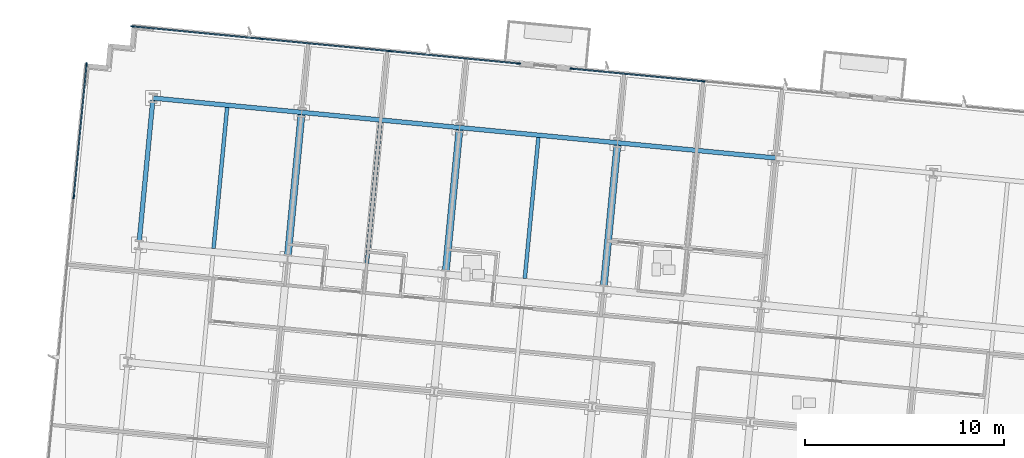
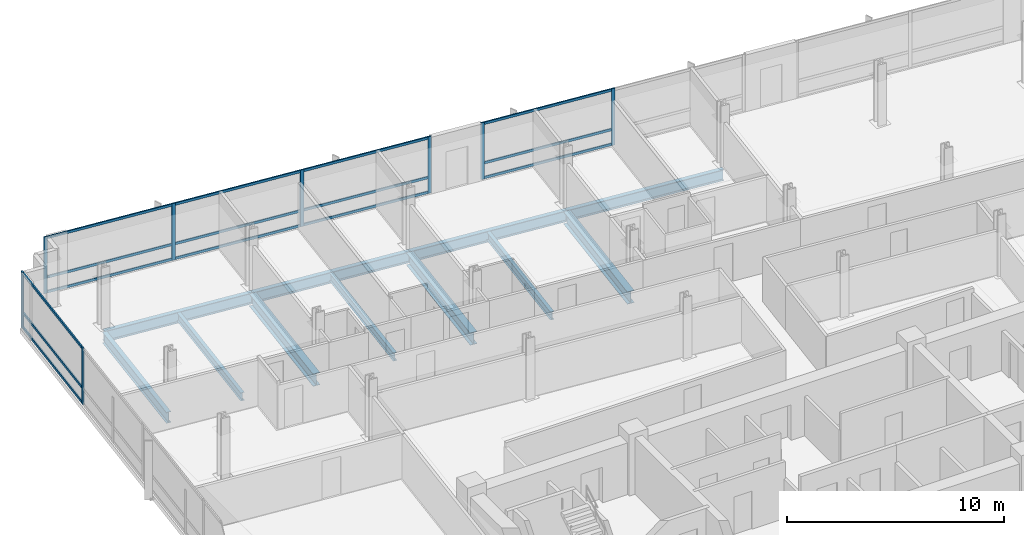
# One storey, part 7 of 17: 23 members, 11 beams, 3 elements without a shape of their own.
"""IFC4 building model written with IfcOpenShell, lengths in metres."""

from ifc_helpers import new_model, si_unit, direction, frame, origin, origin_2d, place, context, subcontext, project, spatial, rectangle, i_section, extrude, material, material_profile, profile_set, type_object, element, aggregate, save


model = new_model("IFC4")

# Units and contexts
model_context = context("Model", 3, precision=1e-05, world=origin(), true_north=direction((0.0, 1.0)))
body_context = subcontext(model_context, "Body", "Model", "MODEL_VIEW")
ifc_project = project(units=[si_unit("LENGTHUNIT", "METRE"), si_unit("AREAUNIT", "SQUARE_METRE"), si_unit("VOLUMEUNIT", "CUBIC_METRE"), si_unit("PLANEANGLEUNIT", "RADIAN"), si_unit("MASSUNIT", "GRAM", prefix="KILO")], contexts=[model_context])

# Site, building, storey
site_placement = place(None, origin())
site = spatial("IfcSite", under=ifc_project, at=site_placement, CompositionType="ELEMENT")
building_placement = place(site_placement, origin())
building = spatial("IfcBuilding", under=site, at=building_placement, Name="Solmavex Isthmus Hotel", CompositionType="ELEMENT")
storey_placement = place(building_placement, frame((0.0, 0.0, 156.60009765625)))
storey = spatial("IfcBuildingStorey", under=building, at=storey_placement, Name="L42", CompositionType="ELEMENT", Elevation=156.60009765625)

# Beams
ifc_material_1 = material(Name="Steel ASTM A992 Grade 50", Category="steel")
ifc_material_profile_1 = material_profile(ifc_material_1, i_section(OverallWidth=0.354736328125, OverallDepth=0.695556640625, WebThickness=0.015380859375, FlangeThickness=0.02490234375, FilletRadius=0.017822265625, at=origin_2d()), Name="W27X146")
ifc_profile_set_1 = profile_set([ifc_material_profile_1], Name="Steel ASTM A992 Grade 50")
beam_type_1 = type_object("IfcBeamType", Name="BM-BG-W27X146", PredefinedType="BEAM", material=ifc_profile_set_1)
beam_1_placement = place(storey_placement, frame((-15.254150390625, 13.07275390625, -0.60791015625), z_axis=(0.095839524498, 0.995396798038, 0.0), x_axis=(-0.995396798038, 0.095839524498, 0.0)))
element("IfcBeam", 1, at=beam_1_placement, inside=storey, type_object=beam_type_1, Name="Floor Beam L42-VG26", PredefinedType="BEAM", context=body_context, shape_type="SweptSolid", body=[
    extrude(i_section(OverallWidth=0.354736328125, OverallDepth=0.695556640625, WebThickness=0.015380859375, FlangeThickness=0.02490234375, FilletRadius=0.017822265625, at=origin_2d()), origin(), (0.0, 0.0, 1.0), 7.099609375),
])
beam_2_placement = place(storey_placement, frame((-7.3349609375, 12.310302734375, -0.60791015625), z_axis=(0.09587687835, 0.9953932008, 0.0), x_axis=(-0.9953932008, 0.09587687835, 0.0)))
element("IfcBeam", 2, at=beam_2_placement, inside=storey, type_object=beam_type_1, Name="Floor Beam L42-VG29", PredefinedType="BEAM", context=body_context, shape_type="SweptSolid", body=[
    extrude(i_section(OverallWidth=0.354736328125, OverallDepth=0.695556640625, WebThickness=0.015380859375, FlangeThickness=0.02490234375, FilletRadius=0.017822265625, at=origin_2d()), origin(), (0.0, 0.0, 1.0), 7.099365234375),
])
beam_3_placement = place(storey_placement, frame((0.58447265625, 11.547607421875, -0.60791015625), z_axis=(0.095839524498, 0.995396798038, 0.0), x_axis=(-0.995396798038, 0.095839524498, 0.0)))
element("IfcBeam", 3, at=beam_3_placement, inside=storey, type_object=beam_type_1, Name="Floor Beam L42-VG32", PredefinedType="BEAM", context=body_context, shape_type="SweptSolid", body=[
    extrude(i_section(OverallWidth=0.354736328125, OverallDepth=0.695556640625, WebThickness=0.015380859375, FlangeThickness=0.02490234375, FilletRadius=0.017822265625, at=origin_2d()), origin(), (0.0, 0.0, 1.0), 7.099609375),
])
ifc_material_profile_2 = material_profile(ifc_material_1, i_section(OverallWidth=0.1904296875, OverallDepth=0.456787109375, WebThickness=0.009033203125, FlangeThickness=0.014404296875, FilletRadius=0.0126953125, at=origin_2d()), Name="W18X50")
ifc_profile_set_2 = profile_set([ifc_material_profile_2], Name="Steel ASTM A992 Grade 50")
beam_type_2 = type_object("IfcBeamType", Name="BM-BJ-W18X50", PredefinedType="JOIST", material=ifc_profile_set_2)
for number, where, z_axis, x_axis, name in (
    (4, (-18.98095703125, 13.431640625, -0.488525390625), (0.095842805175, 0.99539648216, 0.0), (-0.99539648216, 0.095842805175, 0.0), "Secondary Floor Joist L42-J03"),
    (5, (-11.29443359375, 12.691650390625, -0.488525390625), (0.095842805175, 0.99539648216, 0.0), (-0.99539648216, 0.095842805175, 0.0), "Secondary Floor Joist L42-J06"),
    (6, (-3.375244140625, 11.928955078125, -0.488525390625), (0.09587687835, 0.9953932008, 0.0), (-0.9953932008, 0.09587687835, 0.0), "Secondary Floor Joist L42-J09"),
):
    element("IfcBeam", number, at=place(storey_placement, frame(where, z_axis=z_axis, x_axis=x_axis)), inside=storey, type_object=beam_type_2, Name=name, PredefinedType="JOIST", context=body_context, shape_type="SweptSolid", body=[
        extrude(i_section(OverallWidth=0.1904296875, OverallDepth=0.456787109375, WebThickness=0.009033203125, FlangeThickness=0.014404296875, FilletRadius=0.0126953125, at=origin_2d()), origin(), (0.0, 0.0, 1.0), 7.099365234375),
    ])
ifc_material_profile_3 = material_profile(ifc_material_1, i_section(OverallWidth=0.230224609375, OverallDepth=0.617431640625, WebThickness=0.01318359375, FlangeThickness=0.022216796875, FilletRadius=0.01513671875, at=origin_2d()), Name="W24X94")
ifc_profile_set_3 = profile_set([ifc_material_profile_3], Name="Steel ASTM A992 Grade 50")
beam_type_3 = type_object("IfcBeamType", Name="BM-SP-W24X94", PredefinedType="SPANDREL", material=ifc_profile_set_3)
beam_4_placement = place(storey_placement, frame((-22.016357421875, 20.971923828125, -0.56884765625), z_axis=(0.995395279593, -0.095855293875, 0.0), x_axis=(0.095855293875, 0.995395279593, 0.0)))
element("IfcBeam", 7, at=beam_4_placement, inside=storey, type_object=beam_type_3, Name="Floor Girder L42-UG15", PredefinedType="SPANDREL", context=body_context, shape_type="SweptSolid", body=[
    extrude(i_section(OverallWidth=0.230224609375, OverallDepth=0.617431640625, WebThickness=0.01318359375, FlangeThickness=0.022216796875, FilletRadius=0.01513671875, at=origin_2d()), origin(), (0.0, 0.0, 1.0), 7.488037109375),
])
for number, where, z_axis, x_axis, name in (
    (8, (-14.562744140625, 20.254150390625, -0.56884765625), (0.995397440011, -0.095832856685, 0.0), (0.095832856685, 0.995397440011, 0.0), "Floor Girder L42-UG16"),
    (9, (-6.643310546875, 19.49169921875, -0.56884765625), (0.995394512348, -0.095863260885, 0.0), (0.095863260885, 0.995394512348, 0.0), "Floor Girder L42-UG17"),
):
    element("IfcBeam", number, at=place(storey_placement, frame(where, z_axis=z_axis, x_axis=x_axis)), inside=storey, type_object=beam_type_3, Name=name, PredefinedType="SPANDREL", context=body_context, shape_type="SweptSolid", body=[
        extrude(i_section(OverallWidth=0.230224609375, OverallDepth=0.617431640625, WebThickness=0.01318359375, FlangeThickness=0.022216796875, FilletRadius=0.01513671875, at=origin_2d()), origin(), (0.0, 0.0, 1.0), 7.9560546875),
    ])
beam_5_placement = place(storey_placement, frame((1.276123046875, 18.72900390625, -0.56884765625), z_axis=(0.995397158178, -0.095835783981, 0.0), x_axis=(0.095835783981, 0.995397158178, 0.0)))
element("IfcBeam", 10, at=beam_5_placement, inside=storey, type_object=beam_type_3, Name="Floor Girder L42-UG18", PredefinedType="SPANDREL", context=body_context, shape_type="SweptSolid", body=[
    extrude(i_section(OverallWidth=0.230224609375, OverallDepth=0.617431640625, WebThickness=0.01318359375, FlangeThickness=0.022216796875, FilletRadius=0.01513671875, at=origin_2d()), origin(), (0.0, 0.0, 1.0), 7.955810546875),
])
beam_6_placement = place(storey_placement, frame((-22.707763671875, 13.79052734375, -0.56884765625), z_axis=(0.095842805175, 0.99539648216, 0.0), x_axis=(-0.99539648216, 0.095842805175, 0.0)))
element("IfcBeam", 11, at=beam_6_placement, inside=storey, type_object=beam_type_3, Name="Floor Beam L42-VG23", PredefinedType="SPANDREL", context=body_context, shape_type="SweptSolid", body=[
    extrude(i_section(OverallWidth=0.230224609375, OverallDepth=0.617431640625, WebThickness=0.01318359375, FlangeThickness=0.022216796875, FilletRadius=0.01513671875, at=origin_2d()), origin(), (0.0, 0.0, 1.0), 7.099365234375),
])

# Curtain wall, members
ifc_material_2 = material(Name="Aluminium alloy 6063-T6", Category="aluminium")
curtain_wall_type = type_object("IfcCurtainWallType", Name="CW-SYS-03", PredefinedType="NOTDEFINED", material=ifc_material_2)
curtain_wall_1_placement = place(storey_placement, origin())
curtain_wall_1 = element("IfcCurtainWall", 12, at=curtain_wall_1_placement, inside=storey, type_object=curtain_wall_type, Name="Stick Curtain Wall CWL-L42-N1", PredefinedType="NOTDEFINED")
ifc_material_profile_4 = material_profile(ifc_material_2, rectangle(XDim=0.070068359375, YDim=0.179931640625, at=origin_2d()), Name="CWM-70X180")
ifc_profile_set_4 = profile_set([ifc_material_profile_4], Name="Aluminium alloy 6063-T6")
member_type_1 = type_object("IfcMemberType", Name="CW-SYS-03-MUL", PredefinedType="MULLION", material=ifc_profile_set_4)
member_1_placement = place(storey_placement, frame((-23.04150390625, 24.566650390625, 0.0), z_axis=(0.0, 0.0, 1.0), x_axis=(0.095845686434, 0.995396204731, 0.0)))
member_1 = element("IfcMember", 13, at=member_1_placement, type_object=member_type_1, Name="CW-03 mullion 1", PredefinedType="MULLION", context=body_context, shape_type="SweptSolid", body=[
    extrude(rectangle(XDim=0.070068359375, YDim=0.179931640625, at=origin_2d()), origin(), (0.0, 0.0, 1.0), 3.18994140625),
])
member_2_placement = place(storey_placement, frame((-16.598876953125, 23.9462890625, 0.0), z_axis=(0.0, 0.0, 1.0), x_axis=(0.095845686434, 0.995396204731, 0.0)))
member_2 = element("IfcMember", 14, at=member_2_placement, type_object=member_type_1, Name="CW-03 mullion 2", PredefinedType="MULLION", context=body_context, shape_type="SweptSolid", body=[
    extrude(rectangle(XDim=0.070068359375, YDim=0.179931640625, at=origin_2d()), origin(), (0.0, 0.0, 1.0), 3.18994140625),
])
member_3_placement = place(storey_placement, frame((-10.12158203125, 23.32275390625, 0.0), z_axis=(0.0, 0.0, 1.0), x_axis=(0.095845686434, 0.995396204731, 0.0)))
member_3 = element("IfcMember", 15, at=member_3_placement, type_object=member_type_1, Name="CW-03 mullion 3", PredefinedType="MULLION", context=body_context, shape_type="SweptSolid", body=[
    extrude(rectangle(XDim=0.070068359375, YDim=0.179931640625, at=origin_2d()), origin(), (0.0, 0.0, 1.0), 3.18994140625),
])
member_4_placement = place(storey_placement, frame((-3.678955078125, 22.702392578125, 0.0), z_axis=(0.0, 0.0, 1.0), x_axis=(0.095845686434, 0.995396204731, 0.0)))
member_4 = element("IfcMember", 16, at=member_4_placement, type_object=member_type_1, Name="CW-03 mullion 4", PredefinedType="MULLION", context=body_context, shape_type="SweptSolid", body=[
    extrude(rectangle(XDim=0.070068359375, YDim=0.179931640625, at=origin_2d()), origin(), (0.0, 0.0, 1.0), 3.18994140625),
])

curtain_wall_2_placement = place(storey_placement, origin())
curtain_wall_2 = element("IfcCurtainWall", 17, at=curtain_wall_2_placement, inside=storey, type_object=curtain_wall_type, Name="Stick Curtain Wall CWL-L42-N2", PredefinedType="NOTDEFINED")
member_5_placement = place(storey_placement, frame((-1.021240234375, 22.4462890625, 0.0), z_axis=(0.0, 0.0, 1.0), x_axis=(0.095845138178, 0.995396257521, 0.0)))
member_5 = element("IfcMember", 18, at=member_5_placement, type_object=member_type_1, Name="CW-03 mullion 1", PredefinedType="MULLION", context=body_context, shape_type="SweptSolid", body=[
    extrude(rectangle(XDim=0.070068359375, YDim=0.179931640625, at=origin_2d()), origin(), (0.0, 0.0, 1.0), 3.18994140625),
])
member_6_placement = place(storey_placement, frame((5.5693359375, 21.811767578125, 0.0), z_axis=(0.0, 0.0, 1.0), x_axis=(0.095845138178, 0.995396257521, 0.0)))
member_6 = element("IfcMember", 19, at=member_6_placement, type_object=member_type_1, Name="CW-03 mullion 2", PredefinedType="MULLION", context=body_context, shape_type="SweptSolid", body=[
    extrude(rectangle(XDim=0.070068359375, YDim=0.179931640625, at=origin_2d()), origin(), (0.0, 0.0, 1.0), 3.18994140625),
])

curtain_wall_3_placement = place(storey_placement, origin())
curtain_wall_3 = element("IfcCurtainWall", 20, at=curtain_wall_3_placement, inside=storey, type_object=curtain_wall_type, Name="Stick Curtain Wall CWL-L42-W1", PredefinedType="NOTDEFINED")
member_7_placement = place(storey_placement, frame((-25.990234375, 16.010009765625, 0.0), z_axis=(0.0, 0.0, 1.0), x_axis=(-0.995396190038, 0.09584583902, 0.0)))
member_7 = element("IfcMember", 21, at=member_7_placement, type_object=member_type_1, Name="CW-03 mullion 5", PredefinedType="MULLION", context=body_context, shape_type="SweptSolid", body=[
    extrude(rectangle(XDim=0.070068359375, YDim=0.179931640625, at=origin_2d()), origin(), (0.0, 0.0, 1.0), 3.18994140625),
])
member_8_placement = place(storey_placement, frame((-25.349365234375, 22.6640625, 0.0), z_axis=(0.0, 0.0, 1.0), x_axis=(-0.995396190038, 0.09584583902, 0.0)))
member_8 = element("IfcMember", 22, at=member_8_placement, type_object=member_type_1, Name="CW-03 mullion 6", PredefinedType="MULLION", context=body_context, shape_type="SweptSolid", body=[
    extrude(rectangle(XDim=0.070068359375, YDim=0.179931640625, at=origin_2d()), origin(), (0.0, 0.0, 1.0), 3.18994140625),
])

# Member
ifc_material_profile_5 = material_profile(ifc_material_2, rectangle(XDim=0.070068359375, YDim=0.139892578125, at=origin_2d()), Name="CWT-70X140")
ifc_profile_set_5 = profile_set([ifc_material_profile_5], Name="Aluminium alloy 6063-T6")
member_type_2 = type_object("IfcMemberType", Name="CW-SYS-03-TRN", PredefinedType="USERDEFINED", material=ifc_profile_set_5)
member_9_placement = place(storey_placement, frame((-23.006591796875, 24.563232421875, 0.06982421875), z_axis=(0.995397773623, -0.095829391454, 0.0), x_axis=(0.095829391454, 0.995397773623, 0.0)))
member_9 = element("IfcMember", 23, at=member_9_placement, type_object=member_type_2, Name="CW-03 transom 1.1", ObjectType="TRANSOM", PredefinedType="USERDEFINED", context=body_context, shape_type="SweptSolid", body=[
    extrude(rectangle(XDim=0.070068359375, YDim=0.139892578125, at=origin_2d()), origin(), (0.0, 0.0, 1.0), 6.40234375),
])

member_10_placement = place(storey_placement, frame((-23.006591796875, 24.563232421875, 0.89990234375), z_axis=(0.995397773623, -0.095829391454, 0.0), x_axis=(0.095829391454, 0.995397773623, 0.0)))
member_10 = element("IfcMember", 24, at=member_10_placement, type_object=member_type_2, Name="CW-03 transom 1.2", ObjectType="TRANSOM", PredefinedType="USERDEFINED", context=body_context, shape_type="SweptSolid", body=[
    extrude(rectangle(XDim=0.070068359375, YDim=0.139892578125, at=origin_2d()), origin(), (0.0, 0.0, 1.0), 6.40234375),
])

member_11_placement = place(storey_placement, frame((-23.006591796875, 24.563232421875, 3.119873046875), z_axis=(0.995397773623, -0.095829391454, 0.0), x_axis=(0.095829391454, 0.995397773623, 0.0)))
member_11 = element("IfcMember", 25, at=member_11_placement, type_object=member_type_2, Name="CW-03 transom 1.3", ObjectType="TRANSOM", PredefinedType="USERDEFINED", context=body_context, shape_type="SweptSolid", body=[
    extrude(rectangle(XDim=0.070068359375, YDim=0.139892578125, at=origin_2d()), origin(), (0.0, 0.0, 1.0), 6.40234375),
])

member_12_placement = place(storey_placement, frame((-16.56396484375, 23.943115234375, 0.06982421875), z_axis=(0.995393311839, -0.095875725533, 0.0), x_axis=(0.095875725533, 0.995393311839, 0.0)))
member_12 = element("IfcMember", 26, at=member_12_placement, type_object=member_type_2, Name="CW-03 transom 2.1", ObjectType="TRANSOM", PredefinedType="USERDEFINED", context=body_context, shape_type="SweptSolid", body=[
    extrude(rectangle(XDim=0.070068359375, YDim=0.139892578125, at=origin_2d()), origin(), (0.0, 0.0, 1.0), 6.437255859375),
])

member_13_placement = place(storey_placement, frame((-16.56396484375, 23.943115234375, 0.89990234375), z_axis=(0.995393311839, -0.095875725533, 0.0), x_axis=(0.095875725533, 0.995393311839, 0.0)))
member_13 = element("IfcMember", 27, at=member_13_placement, type_object=member_type_2, Name="CW-03 transom 2.2", ObjectType="TRANSOM", PredefinedType="USERDEFINED", context=body_context, shape_type="SweptSolid", body=[
    extrude(rectangle(XDim=0.070068359375, YDim=0.139892578125, at=origin_2d()), origin(), (0.0, 0.0, 1.0), 6.437255859375),
])

member_14_placement = place(storey_placement, frame((-16.56396484375, 23.943115234375, 3.119873046875), z_axis=(0.995393311839, -0.095875725533, 0.0), x_axis=(0.095875725533, 0.995393311839, 0.0)))
member_14 = element("IfcMember", 28, at=member_14_placement, type_object=member_type_2, Name="CW-03 transom 2.3", ObjectType="TRANSOM", PredefinedType="USERDEFINED", context=body_context, shape_type="SweptSolid", body=[
    extrude(rectangle(XDim=0.070068359375, YDim=0.139892578125, at=origin_2d()), origin(), (0.0, 0.0, 1.0), 6.437255859375),
])

member_15_placement = place(storey_placement, frame((-10.086669921875, 23.3193359375, 0.06982421875), z_axis=(0.995394135431, -0.095867174519, 0.0), x_axis=(0.095867174519, 0.995394135431, 0.0)))
member_15 = element("IfcMember", 29, at=member_15_placement, type_object=member_type_2, Name="CW-03 transom 3.1", ObjectType="TRANSOM", PredefinedType="USERDEFINED", context=body_context, shape_type="SweptSolid", body=[
    extrude(rectangle(XDim=0.070068359375, YDim=0.139892578125, at=origin_2d()), origin(), (0.0, 0.0, 1.0), 6.40234375),
])

member_16_placement = place(storey_placement, frame((-10.086669921875, 23.3193359375, 0.89990234375), z_axis=(0.995394135431, -0.095867174519, 0.0), x_axis=(0.095867174519, 0.995394135431, 0.0)))
member_16 = element("IfcMember", 30, at=member_16_placement, type_object=member_type_2, Name="CW-03 transom 3.2", ObjectType="TRANSOM", PredefinedType="USERDEFINED", context=body_context, shape_type="SweptSolid", body=[
    extrude(rectangle(XDim=0.070068359375, YDim=0.139892578125, at=origin_2d()), origin(), (0.0, 0.0, 1.0), 6.40234375),
])

member_17_placement = place(storey_placement, frame((-10.086669921875, 23.3193359375, 3.119873046875), z_axis=(0.995394135431, -0.095867174519, 0.0), x_axis=(0.095867174519, 0.995394135431, 0.0)))
member_17 = element("IfcMember", 31, at=member_17_placement, type_object=member_type_2, Name="CW-03 transom 3.3", ObjectType="TRANSOM", PredefinedType="USERDEFINED", context=body_context, shape_type="SweptSolid", body=[
    extrude(rectangle(XDim=0.070068359375, YDim=0.139892578125, at=origin_2d()), origin(), (0.0, 0.0, 1.0), 6.40234375),
])

aggregate(curtain_wall_1, [member_1, member_2, member_3, member_4, member_9, member_10, member_11, member_12, member_13, member_14, member_15, member_16, member_17])

member_18_placement = place(storey_placement, frame((-0.986328125, 22.443115234375, 0.06982421875), z_axis=(0.995395431006, -0.095853721538, 0.0), x_axis=(0.095853721538, 0.995395431006, 0.0)))
member_18 = element("IfcMember", 32, at=member_18_placement, type_object=member_type_2, Name="CW-03 transom 1.1", ObjectType="TRANSOM", PredefinedType="USERDEFINED", context=body_context, shape_type="SweptSolid", body=[
    extrude(rectangle(XDim=0.070068359375, YDim=0.139892578125, at=origin_2d()), origin(), (0.0, 0.0, 1.0), 6.551025390625),
])

member_19_placement = place(storey_placement, frame((-0.986328125, 22.443115234375, 0.89990234375), z_axis=(0.995395431006, -0.095853721538, 0.0), x_axis=(0.095853721538, 0.995395431006, 0.0)))
member_19 = element("IfcMember", 33, at=member_19_placement, type_object=member_type_2, Name="CW-03 transom 1.2", ObjectType="TRANSOM", PredefinedType="USERDEFINED", context=body_context, shape_type="SweptSolid", body=[
    extrude(rectangle(XDim=0.070068359375, YDim=0.139892578125, at=origin_2d()), origin(), (0.0, 0.0, 1.0), 6.551025390625),
])

member_20_placement = place(storey_placement, frame((-0.986328125, 22.443115234375, 3.119873046875), z_axis=(0.995395431006, -0.095853721538, 0.0), x_axis=(0.095853721538, 0.995395431006, 0.0)))
member_20 = element("IfcMember", 34, at=member_20_placement, type_object=member_type_2, Name="CW-03 transom 1.3", ObjectType="TRANSOM", PredefinedType="USERDEFINED", context=body_context, shape_type="SweptSolid", body=[
    extrude(rectangle(XDim=0.070068359375, YDim=0.139892578125, at=origin_2d()), origin(), (0.0, 0.0, 1.0), 6.551025390625),
])

aggregate(curtain_wall_2, [member_5, member_6, member_18, member_19, member_20])

member_21_placement = place(storey_placement, frame((-25.98681640625, 16.044677734375, 0.06982421875), z_axis=(0.095845316679, 0.995396240334, 0.0), x_axis=(-0.995396240334, 0.095845316679, 0.0)))
member_21 = element("IfcMember", 35, at=member_21_placement, type_object=member_type_2, Name="CW-03 transom 5.1", ObjectType="TRANSOM", PredefinedType="USERDEFINED", context=body_context, shape_type="SweptSolid", body=[
    extrude(rectangle(XDim=0.070068359375, YDim=0.139892578125, at=origin_2d()), origin(), (0.0, 0.0, 1.0), 6.615234375),
])

member_22_placement = place(storey_placement, frame((-25.98681640625, 16.044677734375, 0.89990234375), z_axis=(0.095845316679, 0.995396240334, 0.0), x_axis=(-0.995396240334, 0.095845316679, 0.0)))
member_22 = element("IfcMember", 36, at=member_22_placement, type_object=member_type_2, Name="CW-03 transom 5.2", ObjectType="TRANSOM", PredefinedType="USERDEFINED", context=body_context, shape_type="SweptSolid", body=[
    extrude(rectangle(XDim=0.070068359375, YDim=0.139892578125, at=origin_2d()), origin(), (0.0, 0.0, 1.0), 6.615234375),
])

member_23_placement = place(storey_placement, frame((-25.98681640625, 16.044677734375, 3.119873046875), z_axis=(0.095845316679, 0.995396240334, 0.0), x_axis=(-0.995396240334, 0.095845316679, 0.0)))
member_23 = element("IfcMember", 37, at=member_23_placement, type_object=member_type_2, Name="CW-03 transom 5.3", ObjectType="TRANSOM", PredefinedType="USERDEFINED", context=body_context, shape_type="SweptSolid", body=[
    extrude(rectangle(XDim=0.070068359375, YDim=0.139892578125, at=origin_2d()), origin(), (0.0, 0.0, 1.0), 6.615234375),
])

aggregate(curtain_wall_3, [member_7, member_8, member_21, member_22, member_23])

save(model, "model.ifc")
